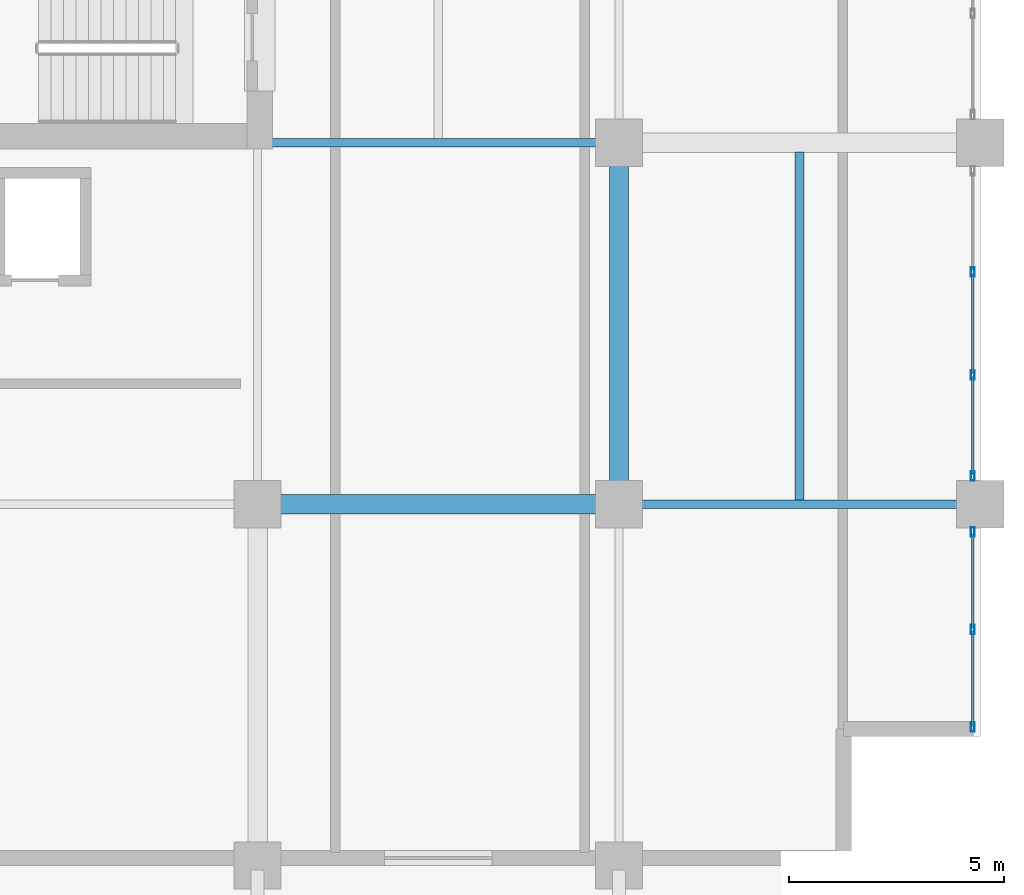
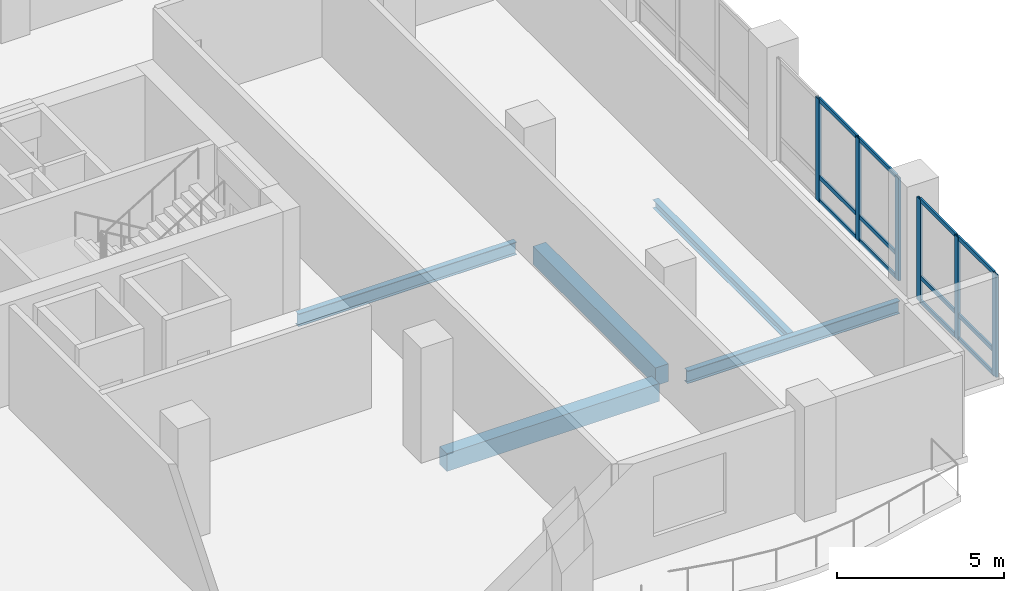
# One storey, part 3 of 21: 18 members, 5 beams, 2 elements without a shape of their own.
"""IFC4 building model written with IfcOpenShell, lengths in metres."""

from ifc_helpers import new_model, si_unit, direction, frame, origin, origin_2d, place, context, subcontext, project, spatial, rectangle, hollow_rectangle, i_section, extrude, material, layer, layer_set, material_profile, profile_set, type_object, element, aggregate, save


model = new_model("IFC4")

# Units and contexts
model_context = context("Model", 3, precision=1e-05, world=origin(), true_north=direction((0.0, 1.0)))
body_context = subcontext(model_context, "Body", "Model", "MODEL_VIEW")
ifc_project = project(units=[si_unit("LENGTHUNIT", "METRE"), si_unit("AREAUNIT", "SQUARE_METRE"), si_unit("VOLUMEUNIT", "CUBIC_METRE"), si_unit("PLANEANGLEUNIT", "RADIAN"), si_unit("MASSUNIT", "GRAM", prefix="KILO")], contexts=[model_context])

# Site, building, storey
site_placement = place(None, origin())
site = spatial("IfcSite", under=ifc_project, at=site_placement, CompositionType="ELEMENT")
building_placement = place(site_placement, origin())
building = spatial("IfcBuilding", under=site, at=building_placement, Name="Koriwani Terraces Tower", CompositionType="ELEMENT")
storey_placement = place(building_placement, frame((0.0, 0.0, 224.0)))
storey = spatial("IfcBuildingStorey", under=building, at=storey_placement, Name="L55", CompositionType="ELEMENT", Elevation=224.0)

# Beams
ifc_material_1 = material(Name="Concrete C50/60", Category="concrete")
ifc_material_profile_1 = material_profile(ifc_material_1, rectangle(XDim=0.449951171875, YDim=0.64990234375, at=origin_2d()), Name="Concrete C50/60", Category="LoadBearing")
ifc_profile_set_1 = profile_set([ifc_material_profile_1], Name="Concrete C50/60")
beam_type_1 = type_object("IfcBeamType", Name="BEAM_RC_GRID_450X650", PredefinedType="BEAM", material=ifc_profile_set_1)
beam_1_placement = place(storey_placement, frame((59.330078125, 8.39990234375, -0.554931640625), z_axis=(1.0, 0.0, 0.0), x_axis=(0.0, 1.0, 0.0)))
element("IfcBeam", 1, at=beam_1_placement, inside=storey, type_object=beam_type_1, Name="L55 Grid Beam B (58.8-67.2m)", PredefinedType="BEAM", context=body_context, shape_type="SweptSolid", body=[
    extrude(rectangle(XDim=0.449951171875, YDim=0.64990234375, at=origin_2d()), origin(), (0.0, 0.0, 1.0), 7.33984375),
])
beam_2_placement = place(storey_placement, frame((67.199951171875, 8.929931640625, -0.554931640625), z_axis=(0.0, 1.0, 0.0), x_axis=(-1.0, 0.0, 0.0)))
element("IfcBeam", 2, at=beam_2_placement, inside=storey, type_object=beam_type_1, Name="L55 Grid Beam 9 (8.4-16.8m)", PredefinedType="BEAM", context=body_context, shape_type="SweptSolid", body=[
    extrude(rectangle(XDim=0.449951171875, YDim=0.64990234375, at=origin_2d()), origin(), (0.0, 0.0, 1.0), 7.340087890625),
])

# Curtain wall, members
ifc_material_2 = material(Name="Anodised Bronze Aluminium", Category="aluminium")
ifc_layer = layer(ifc_material_2, 0.219970703125, Name="Anodised Bronze Aluminium")
ifc_layer_set = layer_set([ifc_layer], Name="Anodised Bronze Aluminium")
curtain_wall_type = type_object("IfcCurtainWallType", Name="CW_SKY_LOUNGE", PredefinedType="NOTDEFINED", material=ifc_layer_set)
curtain_wall_1_placement = place(storey_placement, origin())
curtain_wall_1 = element("IfcCurtainWall", 3, at=curtain_wall_1_placement, inside=storey, type_object=curtain_wall_type, Name="L55 Unitised Curtain Wall (E_TIP) Bay 3", PredefinedType="NOTDEFINED")
ifc_material_profile_2 = material_profile(ifc_material_2, hollow_rectangle(XDim=0.0849609375, YDim=0.219970703125, WallThickness=0.008056640625, at=origin_2d()), Name="Anodised Bronze Aluminium", Category="LoadBearing")
ifc_profile_set_2 = profile_set([ifc_material_profile_2], Name="Anodised Bronze Aluminium")
member_type_1 = type_object("IfcMemberType", Name="CW_MULLION_220X85", PredefinedType="MULLION", material=ifc_profile_set_2)
member_1_placement = place(storey_placement, frame((75.425048828125, 13.796630859375, 0.0), z_axis=(0.0, 0.0, 1.0), x_axis=(1.0, 0.0, 0.0)))
member_1 = element("IfcMember", 4, at=member_1_placement, type_object=member_type_1, Name="CW-SKY mullion 2", PredefinedType="MULLION", context=body_context, shape_type="SweptSolid", body=[
    extrude(hollow_rectangle(XDim=0.0849609375, YDim=0.219970703125, WallThickness=0.008056640625, at=origin_2d()), origin(), (0.0, 0.0, 1.0), 3.75),
])
member_2_placement = place(storey_placement, frame((75.425048828125, 11.4033203125, 0.0), z_axis=(0.0, 0.0, 1.0), x_axis=(1.0, 0.0, 0.0)))
member_2 = element("IfcMember", 5, at=member_2_placement, type_object=member_type_1, Name="CW-SKY mullion 3", PredefinedType="MULLION", context=body_context, shape_type="SweptSolid", body=[
    extrude(hollow_rectangle(XDim=0.0849609375, YDim=0.219970703125, WallThickness=0.008056640625, at=origin_2d()), origin(), (0.0, 0.0, 1.0), 3.75),
])
member_3_placement = place(storey_placement, frame((75.425048828125, 9.052490234375, 0.0), z_axis=(0.0, 0.0, 1.0), x_axis=(1.0, 0.0, 0.0)))
member_3 = element("IfcMember", 6, at=member_3_placement, type_object=member_type_1, Name="CW-SKY mullion 4", PredefinedType="MULLION", context=body_context, shape_type="SweptSolid", body=[
    extrude(hollow_rectangle(XDim=0.0849609375, YDim=0.219970703125, WallThickness=0.008056640625, at=origin_2d()), origin(), (0.0, 0.0, 1.0), 3.75),
])

curtain_wall_2_placement = place(storey_placement, origin())
curtain_wall_2 = element("IfcCurtainWall", 7, at=curtain_wall_2_placement, inside=storey, type_object=curtain_wall_type, Name="L55 Unitised Curtain Wall (E_TIP) Bay 4", PredefinedType="NOTDEFINED")
member_4_placement = place(storey_placement, frame((75.425048828125, 7.74755859375, 0.0), z_axis=(0.0, 0.0, 1.0), x_axis=(1.0, 0.0, 0.0)))
member_4 = element("IfcMember", 8, at=member_4_placement, type_object=member_type_1, Name="CW-SKY mullion 1", PredefinedType="MULLION", context=body_context, shape_type="SweptSolid", body=[
    extrude(hollow_rectangle(XDim=0.0849609375, YDim=0.219970703125, WallThickness=0.008056640625, at=origin_2d()), origin(), (0.0, 0.0, 1.0), 3.75),
])
member_5_placement = place(storey_placement, frame((75.425048828125, 5.482421875, 0.0), z_axis=(0.0, 0.0, 1.0), x_axis=(1.0, 0.0, 0.0)))
member_5 = element("IfcMember", 9, at=member_5_placement, type_object=member_type_1, Name="CW-SKY mullion 2", PredefinedType="MULLION", context=body_context, shape_type="SweptSolid", body=[
    extrude(hollow_rectangle(XDim=0.0849609375, YDim=0.219970703125, WallThickness=0.008056640625, at=origin_2d()), origin(), (0.0, 0.0, 1.0), 3.75),
])
member_6_placement = place(storey_placement, frame((75.425048828125, 3.217529296875, 0.0), z_axis=(0.0, 0.0, 1.0), x_axis=(1.0, 0.0, 0.0)))
member_6 = element("IfcMember", 10, at=member_6_placement, type_object=member_type_1, Name="CW-SKY mullion 3", PredefinedType="MULLION", context=body_context, shape_type="SweptSolid", body=[
    extrude(hollow_rectangle(XDim=0.0849609375, YDim=0.219970703125, WallThickness=0.008056640625, at=origin_2d()), origin(), (0.0, 0.0, 1.0), 3.75),
])

# Member
ifc_material_profile_3 = material_profile(ifc_material_2, hollow_rectangle(XDim=0.06494140625, YDim=0.14990234375, WallThickness=0.0048828125, at=origin_2d()), Name="Anodised Bronze Aluminium", Category="LoadBearing")
ifc_profile_set_3 = profile_set([ifc_material_profile_3], Name="Anodised Bronze Aluminium")
member_type_2 = type_object("IfcMemberType", Name="CW_TRANSOM_150X65", PredefinedType="USERDEFINED", material=ifc_profile_set_3)
member_7_placement = place(storey_placement, frame((75.425048828125, 13.754150390625, 0.032470703125), z_axis=(0.0, -1.0, 0.0), x_axis=(1.0, 0.0, 0.0)))
member_7 = element("IfcMember", 11, at=member_7_placement, type_object=member_type_2, Name="CW-SKY transom 2.1", ObjectType="TRANSOM", PredefinedType="USERDEFINED", context=body_context, shape_type="SweptSolid", body=[
    extrude(hollow_rectangle(XDim=0.06494140625, YDim=0.14990234375, WallThickness=0.0048828125, at=origin_2d()), origin(), (0.0, 0.0, 1.0), 2.308349609375),
])

member_8_placement = place(storey_placement, frame((75.425048828125, 13.754150390625, 0.89990234375), z_axis=(0.0, -1.0, 0.0), x_axis=(1.0, 0.0, 0.0)))
member_8 = element("IfcMember", 12, at=member_8_placement, type_object=member_type_2, Name="CW-SKY transom 2.2", ObjectType="TRANSOM", PredefinedType="USERDEFINED", context=body_context, shape_type="SweptSolid", body=[
    extrude(hollow_rectangle(XDim=0.06494140625, YDim=0.14990234375, WallThickness=0.0048828125, at=origin_2d()), origin(), (0.0, 0.0, 1.0), 2.308349609375),
])

member_9_placement = place(storey_placement, frame((75.425048828125, 13.754150390625, 3.717529296875), z_axis=(0.0, -1.0, 0.0), x_axis=(1.0, 0.0, 0.0)))
member_9 = element("IfcMember", 13, at=member_9_placement, type_object=member_type_2, Name="CW-SKY transom 2.3", ObjectType="TRANSOM", PredefinedType="USERDEFINED", context=body_context, shape_type="SweptSolid", body=[
    extrude(hollow_rectangle(XDim=0.06494140625, YDim=0.14990234375, WallThickness=0.0048828125, at=origin_2d()), origin(), (0.0, 0.0, 1.0), 2.308349609375),
])

member_10_placement = place(storey_placement, frame((75.425048828125, 11.36083984375, 0.032470703125), z_axis=(0.0, -1.0, 0.0), x_axis=(1.0, 0.0, 0.0)))
member_10 = element("IfcMember", 14, at=member_10_placement, type_object=member_type_2, Name="CW-SKY transom 3.1", ObjectType="TRANSOM", PredefinedType="USERDEFINED", context=body_context, shape_type="SweptSolid", body=[
    extrude(hollow_rectangle(XDim=0.06494140625, YDim=0.14990234375, WallThickness=0.0048828125, at=origin_2d()), origin(), (0.0, 0.0, 1.0), 2.265869140625),
])

member_11_placement = place(storey_placement, frame((75.425048828125, 11.36083984375, 0.89990234375), z_axis=(0.0, -1.0, 0.0), x_axis=(1.0, 0.0, 0.0)))
member_11 = element("IfcMember", 15, at=member_11_placement, type_object=member_type_2, Name="CW-SKY transom 3.2", ObjectType="TRANSOM", PredefinedType="USERDEFINED", context=body_context, shape_type="SweptSolid", body=[
    extrude(hollow_rectangle(XDim=0.06494140625, YDim=0.14990234375, WallThickness=0.0048828125, at=origin_2d()), origin(), (0.0, 0.0, 1.0), 2.265869140625),
])

member_12_placement = place(storey_placement, frame((75.425048828125, 11.36083984375, 3.717529296875), z_axis=(0.0, -1.0, 0.0), x_axis=(1.0, 0.0, 0.0)))
member_12 = element("IfcMember", 16, at=member_12_placement, type_object=member_type_2, Name="CW-SKY transom 3.3", ObjectType="TRANSOM", PredefinedType="USERDEFINED", context=body_context, shape_type="SweptSolid", body=[
    extrude(hollow_rectangle(XDim=0.06494140625, YDim=0.14990234375, WallThickness=0.0048828125, at=origin_2d()), origin(), (0.0, 0.0, 1.0), 2.265869140625),
])

aggregate(curtain_wall_1, [member_1, member_2, member_3, member_7, member_8, member_9, member_10, member_11, member_12])

member_13_placement = place(storey_placement, frame((75.425048828125, 7.705078125, 0.032470703125), z_axis=(0.0, -1.0, 0.0), x_axis=(1.0, 0.0, 0.0)))
member_13 = element("IfcMember", 17, at=member_13_placement, type_object=member_type_2, Name="CW-SKY transom 1.1", ObjectType="TRANSOM", PredefinedType="USERDEFINED", context=body_context, shape_type="SweptSolid", body=[
    extrude(hollow_rectangle(XDim=0.06494140625, YDim=0.14990234375, WallThickness=0.0048828125, at=origin_2d()), origin(), (0.0, 0.0, 1.0), 2.18017578125),
])

member_14_placement = place(storey_placement, frame((75.425048828125, 7.705078125, 0.89990234375), z_axis=(0.0, -1.0, 0.0), x_axis=(1.0, 0.0, 0.0)))
member_14 = element("IfcMember", 18, at=member_14_placement, type_object=member_type_2, Name="CW-SKY transom 1.2", ObjectType="TRANSOM", PredefinedType="USERDEFINED", context=body_context, shape_type="SweptSolid", body=[
    extrude(hollow_rectangle(XDim=0.06494140625, YDim=0.14990234375, WallThickness=0.0048828125, at=origin_2d()), origin(), (0.0, 0.0, 1.0), 2.18017578125),
])

member_15_placement = place(storey_placement, frame((75.425048828125, 7.705078125, 3.717529296875), z_axis=(0.0, -1.0, 0.0), x_axis=(1.0, 0.0, 0.0)))
member_15 = element("IfcMember", 19, at=member_15_placement, type_object=member_type_2, Name="CW-SKY transom 1.3", ObjectType="TRANSOM", PredefinedType="USERDEFINED", context=body_context, shape_type="SweptSolid", body=[
    extrude(hollow_rectangle(XDim=0.06494140625, YDim=0.14990234375, WallThickness=0.0048828125, at=origin_2d()), origin(), (0.0, 0.0, 1.0), 2.18017578125),
])

member_16_placement = place(storey_placement, frame((75.425048828125, 5.43994140625, 0.032470703125), z_axis=(0.0, -1.0, 0.0), x_axis=(1.0, 0.0, 0.0)))
member_16 = element("IfcMember", 20, at=member_16_placement, type_object=member_type_2, Name="CW-SKY transom 2.1", ObjectType="TRANSOM", PredefinedType="USERDEFINED", context=body_context, shape_type="SweptSolid", body=[
    extrude(hollow_rectangle(XDim=0.06494140625, YDim=0.14990234375, WallThickness=0.0048828125, at=origin_2d()), origin(), (0.0, 0.0, 1.0), 2.179931640625),
])

member_17_placement = place(storey_placement, frame((75.425048828125, 5.43994140625, 0.89990234375), z_axis=(0.0, -1.0, 0.0), x_axis=(1.0, 0.0, 0.0)))
member_17 = element("IfcMember", 21, at=member_17_placement, type_object=member_type_2, Name="CW-SKY transom 2.2", ObjectType="TRANSOM", PredefinedType="USERDEFINED", context=body_context, shape_type="SweptSolid", body=[
    extrude(hollow_rectangle(XDim=0.06494140625, YDim=0.14990234375, WallThickness=0.0048828125, at=origin_2d()), origin(), (0.0, 0.0, 1.0), 2.179931640625),
])

member_18_placement = place(storey_placement, frame((75.425048828125, 5.43994140625, 3.717529296875), z_axis=(0.0, -1.0, 0.0), x_axis=(1.0, 0.0, 0.0)))
member_18 = element("IfcMember", 22, at=member_18_placement, type_object=member_type_2, Name="CW-SKY transom 2.3", ObjectType="TRANSOM", PredefinedType="USERDEFINED", context=body_context, shape_type="SweptSolid", body=[
    extrude(hollow_rectangle(XDim=0.06494140625, YDim=0.14990234375, WallThickness=0.0048828125, at=origin_2d()), origin(), (0.0, 0.0, 1.0), 2.179931640625),
])

aggregate(curtain_wall_2, [member_4, member_5, member_6, member_13, member_14, member_15, member_16, member_17, member_18])

# Beams
ifc_material_3 = material(Name="Steel ASTM A572 Grade 50", Category="steel")
ifc_material_profile_4 = material_profile(ifc_material_3, i_section(OverallWidth=0.205078125, OverallDepth=0.31005859375, WebThickness=0.009521484375, FlangeThickness=0.016357421875, at=origin_2d()), Name="Steel ASTM A572 Grade 50", Category="LoadBearing")
ifc_profile_set_4 = profile_set([ifc_material_profile_4], Name="Steel ASTM A572 Grade 50")
beam_type_2 = type_object("IfcBeamType", Name="STEEL_BEAM_W310X74", PredefinedType="JOIST", material=ifc_profile_set_4)
beam_3_placement = place(storey_placement, frame((71.39990234375, 8.486083984375, -0.385009765625), z_axis=(0.0, 1.0, 0.0), x_axis=(-1.0, 0.0, 0.0)))
element("IfcBeam", 23, at=beam_3_placement, inside=storey, type_object=beam_type_2, Name="L55 Secondary Steel Floor Joist X=71.4m", PredefinedType="JOIST", context=body_context, shape_type="SweptSolid", body=[
    extrude(i_section(OverallWidth=0.205078125, OverallDepth=0.31005859375, WebThickness=0.009521484375, FlangeThickness=0.016357421875, at=origin_2d()), origin(), (0.0, 0.0, 1.0), 8.098876953125),
])
ifc_material_profile_5 = material_profile(ifc_material_3, i_section(OverallWidth=0.19189453125, OverallDepth=0.462890625, WebThickness=0.010498046875, FlangeThickness=0.01611328125, at=origin_2d()), Name="Steel ASTM A572 Grade 50", Category="LoadBearing")
ifc_profile_set_5 = profile_set([ifc_material_profile_5], Name="Steel ASTM A572 Grade 50")
beam_type_3 = type_object("IfcBeamType", Name="STEEL_BEAM_W460X89", PredefinedType="BEAM", material=ifc_profile_set_5)
beam_4_placement = place(storey_placement, frame((67.72998046875, 8.39990234375, -0.46142578125), z_axis=(1.0, 0.0, 0.0), x_axis=(0.0, 1.0, 0.0)))
element("IfcBeam", 24, at=beam_4_placement, inside=storey, type_object=beam_type_3, Name="L55 Grid Beam B (67.2-75.6m)", PredefinedType="BEAM", context=body_context, shape_type="SweptSolid", body=[
    extrude(i_section(OverallWidth=0.19189453125, OverallDepth=0.462890625, WebThickness=0.010498046875, FlangeThickness=0.01611328125, at=origin_2d()), origin(), (0.0, 0.0, 1.0), 7.340087890625),
])
beam_5_placement = place(storey_placement, frame((59.1298828125, 16.800048828125, -0.46142578125), z_axis=(1.0, 0.0, 0.0), x_axis=(0.0, 1.0, 0.0)))
element("IfcBeam", 25, at=beam_5_placement, inside=storey, type_object=beam_type_3, Name="L55 Grid Beam C (58.8-67.2m)", PredefinedType="BEAM", context=body_context, shape_type="SweptSolid", body=[
    extrude(i_section(OverallWidth=0.19189453125, OverallDepth=0.462890625, WebThickness=0.010498046875, FlangeThickness=0.01611328125, at=origin_2d()), origin(), (0.0, 0.0, 1.0), 7.5400390625),
])

save(model, "model.ifc")
